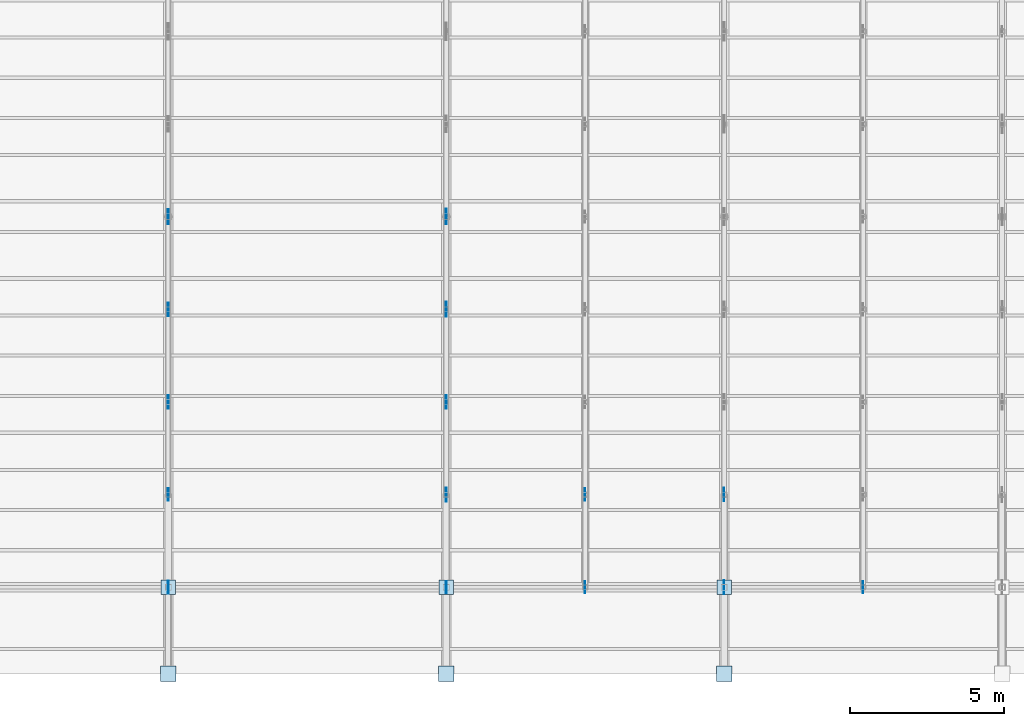
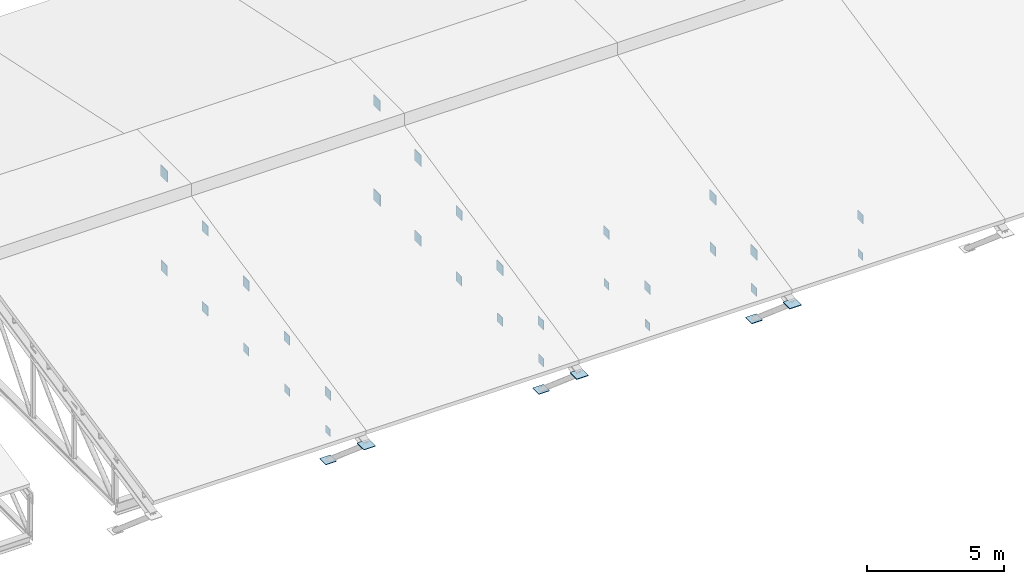
# One storey, part 36 of 43: 36 plates.
"""IFC4 building model written with IfcOpenShell, lengths in metres."""

from ifc_helpers import new_model, si_unit, direction, frame, origin, origin_2d, place, context, subcontext, project, spatial, rectangle, extrude, material, layer, layer_set, type_object, element, save


model = new_model("IFC4")

# Units and contexts
model_context = context("Model", 3, precision=1e-05, world=origin(), true_north=direction((0.0, 1.0)))
body_context = subcontext(model_context, "Body", "Model", "MODEL_VIEW")
ifc_project = project(units=[si_unit("LENGTHUNIT", "METRE"), si_unit("AREAUNIT", "SQUARE_METRE"), si_unit("VOLUMEUNIT", "CUBIC_METRE"), si_unit("PLANEANGLEUNIT", "RADIAN"), si_unit("MASSUNIT", "GRAM", prefix="KILO")], contexts=[model_context])

# Site, building, storey
site_placement = place(None, origin())
site = spatial("IfcSite", under=ifc_project, at=site_placement, CompositionType="ELEMENT")
building_placement = place(site_placement, origin())
building = spatial("IfcBuilding", under=site, at=building_placement, Name="Serraforn Aerial Cableway Station", CompositionType="ELEMENT")
storey_placement = place(building_placement, frame((0.0, 0.0, 18.300048828125)))
storey = spatial("IfcBuildingStorey", under=building, at=storey_placement, Name="RF", CompositionType="ELEMENT", Elevation=18.300048828125)

# Plates
ifc_material = material(Name="Steel S355J2", Category="steel")
ifc_layer_1 = layer(ifc_material, 0.01806640625)
ifc_layer_set_1 = layer_set([ifc_layer_1], Name="Steel S355J2")
plate_type_1 = type_object("IfcPlateType", Name="PLT-CAP-18", PredefinedType="USERDEFINED", material=ifc_layer_set_1)
for number, where, z_axis, x_axis, name in (
    (1, (36.60009765625, 18.0, -1.52001953125), (0.0, 0.0, 1.0), (1.0, 0.0, 0.0), "Truss Bottom Node Cap TR-02-1"),
    (2, (50.10009765625, 18.0, -1.52001953125), (0.0, 0.0, 1.0), (1.0, 0.0, 0.0), "Intermediate Truss Bottom Cap TRM-03-1"),
    (3, (50.10009765625, 21.0, -1.52001953125), (0.0, 0.0, 1.0), (1.0, 0.0, 0.0), "Intermediate Truss Bottom Cap TRM-03-2"),
    (4, (59.10009765625, 18.0, -1.52001953125), (0.0, 0.0, 1.0), (1.0, 0.0, 0.0), "Intermediate Truss Bottom Cap TRM-04-1"),
):
    element("IfcPlate", number, at=place(storey_placement, frame(where, z_axis=z_axis, x_axis=x_axis)), inside=storey, type_object=plate_type_1, Name=name, ObjectType="CAP PLATE", PredefinedType="USERDEFINED", context=body_context, shape_type="SweptSolid", body=[
        extrude(rectangle(XDim=0.01806640625, YDim=0.340087890625, at=origin_2d()), origin(), (0.0, 0.0, 1.0), 0.340087890625),
    ])
ifc_layer_2 = layer(ifc_material, 0.01904296875)
ifc_layer_set_2 = layer_set([ifc_layer_2], Name="Steel S355J2")
plate_type_2 = type_object("IfcPlateType", Name="PLT-CAP-19", PredefinedType="USERDEFINED", material=ifc_layer_set_2)
for number, where, z_axis, x_axis, name in (
    (5, (36.60009765625, 21.0, -1.53515625), (0.0, 0.0, 1.0), (1.0, 0.0, 0.0), "Truss Bottom Node Cap TR-02-2"),
    (6, (45.60009765625, 18.0, -1.53515625), (0.0, 0.0, 1.0), (1.0, 0.0, 0.0), "Truss Bottom Node Cap TR-03-1"),
):
    element("IfcPlate", number, at=place(storey_placement, frame(where, z_axis=z_axis, x_axis=x_axis)), inside=storey, type_object=plate_type_2, Name=name, ObjectType="CAP PLATE", PredefinedType="USERDEFINED", context=body_context, shape_type="SweptSolid", body=[
        extrude(rectangle(XDim=0.01904296875, YDim=0.3701171875, at=origin_2d()), origin(), (0.0, 0.0, 1.0), 0.3701171875),
    ])
ifc_layer_3 = layer(ifc_material, 0.02001953125)
ifc_layer_set_3 = layer_set([ifc_layer_3], Name="Steel S355J2")
plate_type_3 = type_object("IfcPlateType", Name="PLT-CAP-20", PredefinedType="USERDEFINED", material=ifc_layer_set_3)
for number, where, z_axis, x_axis, name in (
    (7, (36.60009765625, 24.0, -1.5400390625), (0.0, 0.0, 1.0), (1.0, 0.0, 0.0), "Truss Bottom Node Cap TR-02-3"),
    (8, (45.60009765625, 21.0, -1.5400390625), (0.0, 0.0, 1.0), (1.0, 0.0, 0.0), "Truss Bottom Node Cap TR-03-2"),
    (9, (54.60009765625, 18.0, -1.5400390625), (0.0, 0.0, 1.0), (1.0, 0.0, 0.0), "Truss Bottom Node Cap TR-04-1"),
):
    element("IfcPlate", number, at=place(storey_placement, frame(where, z_axis=z_axis, x_axis=x_axis)), inside=storey, type_object=plate_type_3, Name=name, ObjectType="CAP PLATE", PredefinedType="USERDEFINED", context=body_context, shape_type="SweptSolid", body=[
        extrude(rectangle(XDim=0.02001953125, YDim=0.3798828125, at=origin_2d()), origin(), (0.0, 0.0, 1.0), 0.3798828125),
    ])
ifc_layer_4 = layer(ifc_material, 0.02197265625)
ifc_layer_set_4 = layer_set([ifc_layer_4], Name="Steel S355J2")
plate_type_4 = type_object("IfcPlateType", Name="PLT-CAP-22", PredefinedType="USERDEFINED", material=ifc_layer_set_4)
for number, where, z_axis, x_axis, name in (
    (10, (36.60009765625, 27.0, -1.56005859375), (0.0, 0.0, 1.0), (1.0, 0.0, 0.0), "Truss Bottom Node Cap TR-02-4"),
    (11, (45.60009765625, 24.0, -1.56005859375), (0.0, 0.0, 1.0), (1.0, 0.0, 0.0), "Truss Bottom Node Cap TR-03-3"),
    (12, (54.60009765625, 21.0, -1.56005859375), (0.0, 0.0, 1.0), (1.0, 0.0, 0.0), "Truss Bottom Node Cap TR-04-2"),
):
    element("IfcPlate", number, at=place(storey_placement, frame(where, z_axis=z_axis, x_axis=x_axis)), inside=storey, type_object=plate_type_4, Name=name, ObjectType="CAP PLATE", PredefinedType="USERDEFINED", context=body_context, shape_type="SweptSolid", body=[
        extrude(rectangle(XDim=0.02197265625, YDim=0.419921875, at=origin_2d()), origin(), (0.0, 0.0, 1.0), 0.419921875),
    ])
ifc_layer_5 = layer(ifc_material, 0.02392578125)
ifc_layer_set_5 = layer_set([ifc_layer_5], Name="Steel S355J2")
plate_type_5 = type_object("IfcPlateType", Name="PLT-CAP-24", PredefinedType="USERDEFINED", material=ifc_layer_set_5)
plate_1_placement = place(storey_placement, frame((36.60009765625, 30.0, -1.580078125), z_axis=(0.0, 0.0, 1.0), x_axis=(1.0, 0.0, 0.0)))
element("IfcPlate", 13, at=plate_1_placement, inside=storey, type_object=plate_type_5, Name="Truss Bottom Node Cap TR-02-5", ObjectType="CAP PLATE", PredefinedType="USERDEFINED", context=body_context, shape_type="SweptSolid", body=[
    extrude(rectangle(XDim=0.02392578125, YDim=0.4599609375, at=origin_2d()), origin(), (0.0, 0.0, 1.0), 0.4599609375),
])
plate_2_placement = place(storey_placement, frame((36.60009765625, 18.0, -2.662109375), z_axis=(0.0, 0.0, 1.0), x_axis=(1.0, 0.0, 0.0)))
element("IfcPlate", 14, at=plate_2_placement, inside=storey, type_object=plate_type_5, Name="Truss Eave Column Gusset TR-02-ES", ObjectType="CAP PLATE", PredefinedType="USERDEFINED", context=body_context, shape_type="SweptSolid", body=[
    extrude(rectangle(XDim=0.4599609375, YDim=0.4599609375, at=origin_2d()), origin(), (0.0, 0.0, 1.0), 0.02392578125),
])
plate_3_placement = place(storey_placement, frame((45.60009765625, 27.0, -1.580078125), z_axis=(0.0, 0.0, 1.0), x_axis=(1.0, 0.0, 0.0)))
element("IfcPlate", 15, at=plate_3_placement, inside=storey, type_object=plate_type_5, Name="Truss Bottom Node Cap TR-03-4", ObjectType="CAP PLATE", PredefinedType="USERDEFINED", context=body_context, shape_type="SweptSolid", body=[
    extrude(rectangle(XDim=0.02392578125, YDim=0.4599609375, at=origin_2d()), origin(), (0.0, 0.0, 1.0), 0.4599609375),
])
for number, where, z_axis, x_axis, name in (
    (16, (45.60009765625, 18.0, -2.662109375), (0.0, 0.0, 1.0), (1.0, 0.0, 0.0), "Truss Eave Column Gusset TR-03-ES"),
    (17, (54.60009765625, 18.0, -2.662109375), (0.0, 0.0, 1.0), (1.0, 0.0, 0.0), "Truss Eave Column Gusset TR-04-ES"),
):
    element("IfcPlate", number, at=place(storey_placement, frame(where, z_axis=z_axis, x_axis=x_axis)), inside=storey, type_object=plate_type_5, Name=name, ObjectType="CAP PLATE", PredefinedType="USERDEFINED", context=body_context, shape_type="SweptSolid", body=[
        extrude(rectangle(XDim=0.4599609375, YDim=0.4599609375, at=origin_2d()), origin(), (0.0, 0.0, 1.0), 0.02392578125),
    ])
ifc_layer_6 = layer(ifc_material, 0.028076171875)
ifc_layer_set_6 = layer_set([ifc_layer_6], Name="Steel S355J2")
plate_type_6 = type_object("IfcPlateType", Name="PLT-CAP-28", PredefinedType="USERDEFINED", material=ifc_layer_set_6)
plate_4_placement = place(storey_placement, frame((36.60009765625, 15.199951171875, -0.2841796875), z_axis=(0.0, 0.0, 1.0), x_axis=(1.0, 0.0, 0.0)))
element("IfcPlate", 18, at=plate_4_placement, inside=storey, type_object=plate_type_6, Name="Truss Eave Tip Cap Plate TR-02-ES", ObjectType="CAP PLATE", PredefinedType="USERDEFINED", context=body_context, shape_type="SweptSolid", body=[
    extrude(rectangle(XDim=0.5, YDim=0.5, at=origin_2d()), origin(), (0.0, 0.0, 1.0), 0.028076171875),
])
plate_5_placement = place(storey_placement, frame((45.60009765625, 30.0, -1.60009765625), z_axis=(0.0, 0.0, 1.0), x_axis=(1.0, 0.0, 0.0)))
element("IfcPlate", 19, at=plate_5_placement, inside=storey, type_object=plate_type_6, Name="Truss Bottom Node Cap TR-03-5", ObjectType="CAP PLATE", PredefinedType="USERDEFINED", context=body_context, shape_type="SweptSolid", body=[
    extrude(rectangle(XDim=0.028076171875, YDim=0.5, at=origin_2d()), origin(), (0.0, 0.0, 1.0), 0.5),
])
for number, where, z_axis, x_axis, name in (
    (20, (45.60009765625, 15.199951171875, -0.2841796875), (0.0, 0.0, 1.0), (1.0, 0.0, 0.0), "Truss Eave Tip Cap Plate TR-03-ES"),
    (21, (54.60009765625, 15.199951171875, -0.2841796875), (0.0, 0.0, 1.0), (1.0, 0.0, 0.0), "Truss Eave Tip Cap Plate TR-04-ES"),
):
    element("IfcPlate", number, at=place(storey_placement, frame(where, z_axis=z_axis, x_axis=x_axis)), inside=storey, type_object=plate_type_6, Name=name, ObjectType="CAP PLATE", PredefinedType="USERDEFINED", context=body_context, shape_type="SweptSolid", body=[
        extrude(rectangle(XDim=0.5, YDim=0.5, at=origin_2d()), origin(), (0.0, 0.0, 1.0), 0.028076171875),
    ])
ifc_layer_7 = layer(ifc_material, 0.01904296875)
ifc_layer_set_7 = layer_set([ifc_layer_7], Name="Steel S355J2")
plate_type_7 = type_object("IfcPlateType", Name="PLT-GUS-19", PredefinedType="USERDEFINED", material=ifc_layer_set_7)
plate_6_placement = place(storey_placement, frame((36.60009765625, 18.0, 0.1201171875), z_axis=(0.0, 0.0, 1.0), x_axis=(1.0, 0.0, 0.0)))
element("IfcPlate", 22, at=plate_6_placement, inside=storey, type_object=plate_type_7, Name="Truss Top Node Gusset TR-02-1", ObjectType="GUSSET PLATE", PredefinedType="USERDEFINED", context=body_context, shape_type="SweptSolid", body=[
    extrude(rectangle(XDim=0.01904296875, YDim=0.409912109375, at=origin_2d()), origin(), (0.0, 0.0, 1.0), 0.409912109375),
])
ifc_layer_8 = layer(ifc_material, 0.02001953125)
ifc_layer_set_8 = layer_set([ifc_layer_8], Name="Steel S355J2")
plate_type_8 = type_object("IfcPlateType", Name="PLT-GUS-20", PredefinedType="USERDEFINED", material=ifc_layer_set_8)
for number, where, z_axis, x_axis, name in (
    (23, (36.60009765625, 21.0, 0.762939453125), (0.0, 0.0, 1.0), (1.0, 0.0, 0.0), "Truss Top Node Gusset TR-02-2"),
    (24, (45.60009765625, 18.0, 0.125244140625), (0.0, 0.0, 1.0), (1.0, 0.0, 0.0), "Truss Top Node Gusset TR-03-1"),
    (25, (50.10009765625, 18.0, 0.125244140625), (0.0, 0.0, 1.0), (1.0, 0.0, 0.0), "Intermediate Truss Top Gusset TRM-03-1"),
    (26, (50.10009765625, 21.0, 0.762939453125), (0.0, 0.0, 1.0), (1.0, 0.0, 0.0), "Intermediate Truss Top Gusset TRM-03-2"),
    (27, (59.10009765625, 18.0, 0.125244140625), (0.0, 0.0, 1.0), (1.0, 0.0, 0.0), "Intermediate Truss Top Gusset TRM-04-1"),
):
    element("IfcPlate", number, at=place(storey_placement, frame(where, z_axis=z_axis, x_axis=x_axis)), inside=storey, type_object=plate_type_8, Name=name, ObjectType="GUSSET PLATE", PredefinedType="USERDEFINED", context=body_context, shape_type="SweptSolid", body=[
        extrude(rectangle(XDim=0.02001953125, YDim=0.39990234375, at=origin_2d()), origin(), (0.0, 0.0, 1.0), 0.39990234375),
    ])
ifc_layer_9 = layer(ifc_material, 0.02099609375)
ifc_layer_set_9 = layer_set([ifc_layer_9], Name="Steel S355J2")
plate_type_9 = type_object("IfcPlateType", Name="PLT-GUS-21", PredefinedType="USERDEFINED", material=ifc_layer_set_9)
for number, where, z_axis, x_axis, name in (
    (28, (36.60009765625, 24.0, 1.37548828125), (0.0, 0.0, 1.0), (1.0, 0.0, 0.0), "Truss Top Node Gusset TR-02-3"),
    (29, (45.60009765625, 21.0, 0.73779296875), (0.0, 0.0, 1.0), (1.0, 0.0, 0.0), "Truss Top Node Gusset TR-03-2"),
    (30, (54.60009765625, 18.0, 0.10009765625), (0.0, 0.0, 1.0), (1.0, 0.0, 0.0), "Truss Top Node Gusset TR-04-1"),
):
    element("IfcPlate", number, at=place(storey_placement, frame(where, z_axis=z_axis, x_axis=x_axis)), inside=storey, type_object=plate_type_9, Name=name, ObjectType="GUSSET PLATE", PredefinedType="USERDEFINED", context=body_context, shape_type="SweptSolid", body=[
        extrude(rectangle(XDim=0.02099609375, YDim=0.449951171875, at=origin_2d()), origin(), (0.0, 0.0, 1.0), 0.449951171875),
    ])
ifc_layer_10 = layer(ifc_material, 0.02197265625)
ifc_layer_set_10 = layer_set([ifc_layer_10], Name="Steel S355J2")
plate_type_10 = type_object("IfcPlateType", Name="PLT-GUS-22", PredefinedType="USERDEFINED", material=ifc_layer_set_10)
for number, where, z_axis, x_axis, name in (
    (31, (36.60009765625, 27.0, 2.018310546875), (0.0, 0.0, 1.0), (1.0, 0.0, 0.0), "Truss Top Node Gusset TR-02-4"),
    (32, (45.60009765625, 24.0, 1.380615234375), (0.0, 0.0, 1.0), (1.0, 0.0, 0.0), "Truss Top Node Gusset TR-03-3"),
    (33, (54.60009765625, 21.0, 0.742919921875), (0.0, 0.0, 1.0), (1.0, 0.0, 0.0), "Truss Top Node Gusset TR-04-2"),
):
    element("IfcPlate", number, at=place(storey_placement, frame(where, z_axis=z_axis, x_axis=x_axis)), inside=storey, type_object=plate_type_10, Name=name, ObjectType="GUSSET PLATE", PredefinedType="USERDEFINED", context=body_context, shape_type="SweptSolid", body=[
        extrude(rectangle(XDim=0.02197265625, YDim=0.43994140625, at=origin_2d()), origin(), (0.0, 0.0, 1.0), 0.43994140625),
    ])
ifc_layer_11 = layer(ifc_material, 0.02294921875)
ifc_layer_set_11 = layer_set([ifc_layer_11], Name="Steel S355J2")
plate_type_11 = type_object("IfcPlateType", Name="PLT-GUS-23", PredefinedType="USERDEFINED", material=ifc_layer_set_11)
for number, where, z_axis, x_axis, name in (
    (34, (36.60009765625, 30.0, 2.630859375), (0.0, 0.0, 1.0), (1.0, 0.0, 0.0), "Truss Top Node Gusset TR-02-5"),
    (35, (45.60009765625, 27.0, 1.9931640625), (0.0, 0.0, 1.0), (1.0, 0.0, 0.0), "Truss Top Node Gusset TR-03-4"),
):
    element("IfcPlate", number, at=place(storey_placement, frame(where, z_axis=z_axis, x_axis=x_axis)), inside=storey, type_object=plate_type_11, Name=name, ObjectType="GUSSET PLATE", PredefinedType="USERDEFINED", context=body_context, shape_type="SweptSolid", body=[
        extrude(rectangle(XDim=0.02294921875, YDim=0.489990234375, at=origin_2d()), origin(), (0.0, 0.0, 1.0), 0.489990234375),
    ])
ifc_layer_12 = layer(ifc_material, 0.02392578125)
ifc_layer_set_12 = layer_set([ifc_layer_12], Name="Steel S355J2")
plate_type_12 = type_object("IfcPlateType", Name="PLT-GUS-24", PredefinedType="USERDEFINED", material=ifc_layer_set_12)
plate_7_placement = place(storey_placement, frame((45.60009765625, 30.0, 2.635986328125), z_axis=(0.0, 0.0, 1.0), x_axis=(1.0, 0.0, 0.0)))
element("IfcPlate", 36, at=plate_7_placement, inside=storey, type_object=plate_type_12, Name="Truss Top Node Gusset TR-03-5", ObjectType="GUSSET PLATE", PredefinedType="USERDEFINED", context=body_context, shape_type="SweptSolid", body=[
    extrude(rectangle(XDim=0.02392578125, YDim=0.47998046875, at=origin_2d()), origin(), (0.0, 0.0, 1.0), 0.47998046875),
])

save(model, "model.ifc")
